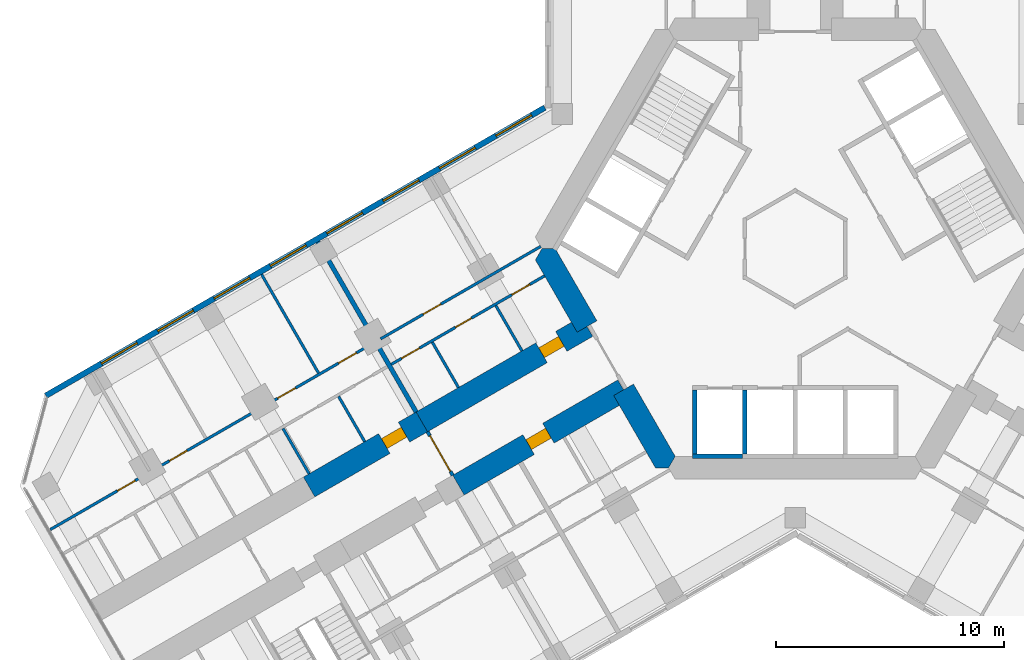
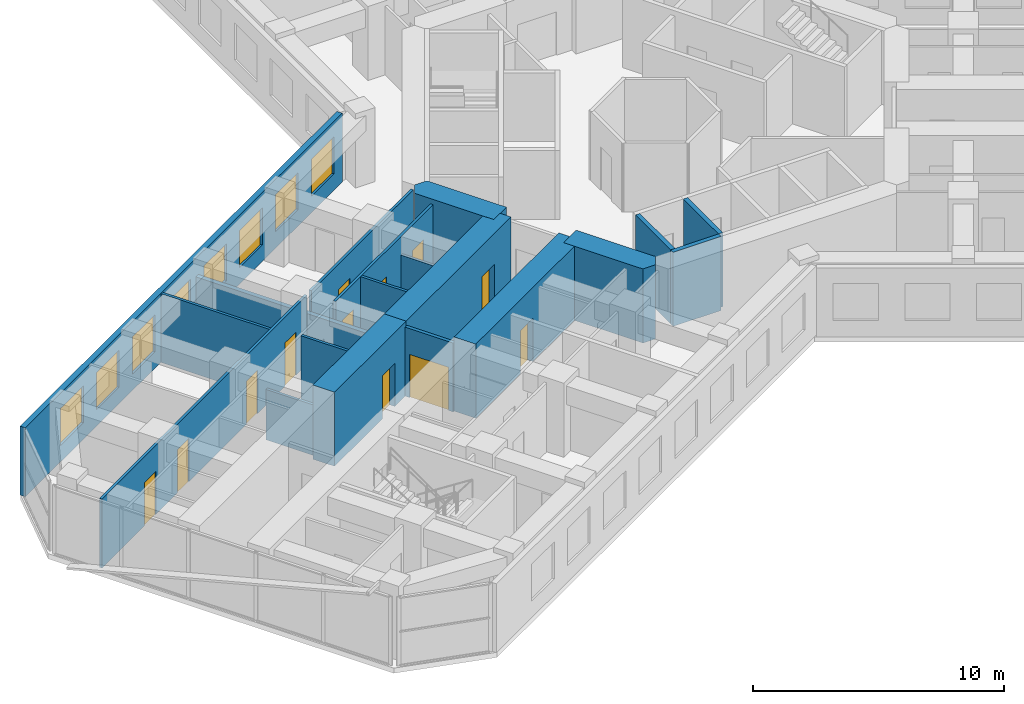
# One storey, part 12 of 21: 19 walls, 12 doors, 8 windows, 20 openings.
"""IFC4 building model written with IfcOpenShell, lengths in metres."""

from ifc_helpers import new_model, si_unit, direction, frame, frame_2d, origin, place, context, subcontext, project, spatial, polyline, rectangle, outline, extrude, material, layer, layer_set, type_object, element, fill, save


model = new_model("IFC4")

# Units and contexts
model_context = context("Model", 3, precision=1e-05, world=origin(), true_north=direction((0.0, 1.0)))
body_context = subcontext(model_context, "Body", "Model", "MODEL_VIEW")
ifc_project = project(units=[si_unit("LENGTHUNIT", "METRE"), si_unit("AREAUNIT", "SQUARE_METRE"), si_unit("VOLUMEUNIT", "CUBIC_METRE"), si_unit("PLANEANGLEUNIT", "RADIAN"), si_unit("MASSUNIT", "GRAM", prefix="KILO")], contexts=[model_context])

# Site, building, storey
site_placement = place(None, origin())
site = spatial("IfcSite", under=ifc_project, at=site_placement, CompositionType="ELEMENT")
building_placement = place(site_placement, origin())
building = spatial("IfcBuilding", under=site, at=building_placement, Name="Kosmar Iwan School Tower", CompositionType="ELEMENT")
storey_placement = place(building_placement, frame((0.0, 0.0, 106.0)))
storey = spatial("IfcBuildingStorey", under=building, at=storey_placement, Name="L26", CompositionType="ELEMENT", Elevation=106.0)

# Walls
ifc_material_1 = material(Name="Concrete C50/60", Category="concrete")
ifc_layer_1 = layer(ifc_material_1, 1.0)
ifc_layer_set_1 = layer_set([ifc_layer_1], Name="Core wall 1000")
wall_type_1 = type_object("IfcWallType", Name="Core wall 1000", PredefinedType="SHEAR", material=ifc_layer_set_1)
wall_1_placement = place(storey_placement, origin())
element("IfcWall", 1, at=wall_1_placement, inside=storey, type_object=wall_type_1, Name="Core wall F210a", PredefinedType="SHEAR", context=body_context, shape_type="SweptSolid", body=[
    extrude(outline(polyline([(-9.546875, -3.664306640625), (-8.680908203125, -3.164306640625), (-10.5078125, 0.0), (-11.085205078125, 0.0), (-11.373779296875, -0.5), (-9.546875, -3.664306640625)])), origin(), (0.0, 0.0, 1.0), 3.60009765625),
])
wall_2_placement = place(storey_placement, origin())
element("IfcWall", 2, at=wall_2_placement, inside=storey, type_object=wall_type_1, Name="Core wall F210b", PredefinedType="SHEAR", context=body_context, shape_type="SweptSolid", body=[
    extrude(outline(polyline([(-6.119873046875, -9.60009765625), (-5.54248046875, -9.60009765625), (-5.25390625, -9.10009765625), (-7.080810546875, -5.935546875), (-7.94677734375, -6.435546875), (-6.119873046875, -9.60009765625)])), origin(), (0.0, 0.0, 1.0), 3.60009765625),
])

# Wall, opening, door
ifc_material_2 = material(Name="Concrete C50/60", Category="concrete")
ifc_layer_2 = layer(ifc_material_2, 1.0)
ifc_layer_set_2 = layer_set([ifc_layer_2], Name="Corridor buttress wall 1000")
wall_type_2 = type_object("IfcWallType", Name="Corridor buttress wall 1000", PredefinedType="SHEAR", material=ifc_layer_set_2)
wall_3_placement = place(storey_placement, frame((-7.513916015625, -6.185546875, 0.0), z_axis=(0.0, 0.0, 1.0), x_axis=(-0.866019549707, -0.500010139422, 0.0)))
wall_3 = element("IfcWall", 3, at=wall_3_placement, inside=storey, type_object=wall_type_2, Name="Corridor wall BL", PredefinedType="SHEAR", context=body_context, shape_type="SweptSolid", body=[
    extrude(rectangle(XDim=8.349853515625, YDim=1.0, at=frame_2d((4.1748046875, 0.0))), origin(), (0.0, 0.0, 1.0), 3.60009765625),
])
opening_1_placement = place(wall_3_placement, frame((3.800048828125, 0.0, 0.0)))
opening_1 = element("IfcOpeningElement", 4, at=opening_1_placement, cuts=wall_3, Name="Opening D1", PredefinedType="OPENING", context=body_context, shape_type="SweptSolid", body=[
    extrude(rectangle(XDim=1.0, YDim=2.10009765625, at=frame_2d((0.5, 1.050048828125))), frame((0.0, 0.511962890625, 0.0), z_axis=(0.0, -1.0, 0.0), x_axis=(1.0, 0.0, 0.0)), (0.0, 0.0, 1.0), 1.02392578125),
])
ifc_material_3 = material(Name="Timber fire door in steel frame", Category="steel")
door_type_1 = type_object("IfcDoorType", Name="Flat entrance door 1000x2100", OperationType="SINGLE_SWING_LEFT", PredefinedType="DOOR", material=ifc_material_3)
door_1_placement = place(opening_1_placement, origin())
door_1 = element("IfcDoor", 5, at=door_1_placement, inside=storey, type_object=door_type_1, Name="Flat L26-BL1 entrance door", OperationType="SINGLE_SWING_LEFT", OverallHeight=2.10009765625, OverallWidth=1.0, PredefinedType="DOOR", context=body_context, shape_type="SweptSolid", body=[
    extrude(rectangle(XDim=1.0, YDim=2.10009765625, at=frame_2d((0.5, 1.050048828125))), frame((0.0, 0.25, 0.0), z_axis=(0.0, -1.0, 0.0), x_axis=(1.0, 0.0, 0.0)), (0.0, 0.0, 1.0), 0.5),
])
fill(opening_1, door_1)

wall_4_placement = place(storey_placement, frame((-9.11376953125, -3.414306640625, 0.0), z_axis=(0.0, 0.0, 1.0), x_axis=(-0.866026859388, -0.499997478812, 0.0)))
wall_4 = element("IfcWall", 6, at=wall_4_placement, inside=storey, type_object=wall_type_2, Name="Corridor wall BR", PredefinedType="SHEAR", context=body_context, shape_type="SweptSolid", body=[
    extrude(rectangle(XDim=8.35009765625, YDim=1.0, at=frame_2d((4.175048828125, 0.0))), origin(), (0.0, 0.0, 1.0), 3.60009765625),
])
opening_2_placement = place(wall_4_placement, frame((1.300048828125, 0.0, 0.0)))
opening_2 = element("IfcOpeningElement", 7, at=opening_2_placement, cuts=wall_4, Name="Opening D1", PredefinedType="OPENING", context=body_context, shape_type="SweptSolid", body=[
    extrude(rectangle(XDim=1.0, YDim=2.10009765625, at=frame_2d((0.5, 1.050048828125))), frame((0.0, 0.511962890625, 0.0), z_axis=(0.0, -1.0, 0.0), x_axis=(1.0, 0.0, 0.0)), (0.0, 0.0, 1.0), 1.02392578125),
])
door_2_placement = place(opening_2_placement, origin())
door_2 = element("IfcDoor", 8, at=door_2_placement, inside=storey, type_object=door_type_1, Name="Flat L26-BR1 entrance door", OperationType="SINGLE_SWING_LEFT", OverallHeight=2.10009765625, OverallWidth=1.0, PredefinedType="DOOR", context=body_context, shape_type="SweptSolid", body=[
    extrude(rectangle(XDim=1.0, YDim=2.10009765625, at=frame_2d((0.5, 1.050048828125))), frame((0.0, 0.25, 0.0), z_axis=(0.0, -1.0, 0.0), x_axis=(1.0, 0.0, 0.0)), (0.0, 0.0, 1.0), 0.5),
])
fill(opening_2, door_2)

wall_5_placement = place(storey_placement, frame((-16.34521484375, -7.58935546875, 0.0), z_axis=(0.0, 0.0, 1.0), x_axis=(-0.866015111908, -0.50001782563, 0.0)))
wall_5 = element("IfcWall", 9, at=wall_5_placement, inside=storey, type_object=wall_type_2, Name="Corridor wall BR bay 2", PredefinedType="SHEAR", context=body_context, shape_type="SweptSolid", body=[
    extrude(rectangle(XDim=5.699951171875, YDim=1.0, at=frame_2d((2.85009765625, 0.0))), origin(), (0.0, 0.0, 1.0), 3.60009765625),
])
opening_3_placement = place(wall_5_placement, frame((0.89990234375, 0.0, 0.0)))
opening_3 = element("IfcOpeningElement", 10, at=opening_3_placement, cuts=wall_5, Name="Opening D1", PredefinedType="OPENING", context=body_context, shape_type="SweptSolid", body=[
    extrude(rectangle(XDim=1.0, YDim=2.10009765625, at=frame_2d((0.5, 1.050048828125))), frame((0.0, 0.511962890625, 0.0), z_axis=(0.0, -1.0, 0.0), x_axis=(1.0, 0.0, 0.0)), (0.0, 0.0, 1.0), 1.02392578125),
])
door_3_placement = place(opening_3_placement, origin())
door_3 = element("IfcDoor", 11, at=door_3_placement, inside=storey, type_object=door_type_1, Name="Flat L26-BR2 entrance door", OperationType="SINGLE_SWING_LEFT", OverallHeight=2.10009765625, OverallWidth=1.0, PredefinedType="DOOR", context=body_context, shape_type="SweptSolid", body=[
    extrude(rectangle(XDim=1.0, YDim=2.10009765625, at=frame_2d((0.5, 1.050048828125))), frame((0.0, 0.25, 0.0), z_axis=(0.0, -1.0, 0.0), x_axis=(1.0, 0.0, 0.0)), (0.0, 0.0, 1.0), 0.5),
])
fill(opening_3, door_3)

ifc_material_4 = material(Name="Gypsum board on steel studs, fire-rated", Category="steel")
ifc_layer_3 = layer(ifc_material_4, 0.14990234375)
ifc_layer_set_3 = layer_set([ifc_layer_3], Name="Corridor end wall 150")
wall_type_3 = type_object("IfcWallType", Name="Corridor end wall 150", PredefinedType="PARTITIONING", material=ifc_layer_set_3)
wall_6_placement = place(storey_placement, frame((-16.09521484375, -8.0224609375, 0.0), z_axis=(0.0, 0.0, 1.0), x_axis=(0.50002983664, -0.866008176907, 0.0)))
wall_6 = element("IfcWall", 12, at=wall_6_placement, inside=storey, type_object=wall_type_3, Name="Partition L26-B-HW", PredefinedType="PARTITIONING", context=body_context, shape_type="SweptSolid", body=[
    extrude(rectangle(XDim=2.199951171875, YDim=0.14990234375, at=frame_2d((1.10009765625, 0.0))), origin(), (0.0, 0.0, 1.0), 3.35009765625),
])
opening_4_placement = place(wall_6_placement, frame((0.199951171875, 0.0, 0.0)))
opening_4 = element("IfcOpeningElement", 13, at=opening_4_placement, cuts=wall_6, Name="Opening D9", PredefinedType="OPENING", context=body_context, shape_type="SweptSolid", body=[
    extrude(rectangle(XDim=1.800048828125, YDim=2.10009765625, at=frame_2d((0.89990234375, 1.050048828125))), frame((0.0, 0.0869140625, 0.0), z_axis=(0.0, -1.0, 0.0), x_axis=(1.0, 0.0, 0.0)), (0.0, 0.0, 1.0), 0.173828125),
])
ifc_material_5 = material(Name="Steel framed glazed smoke door", Category="steel")
door_type_2 = type_object("IfcDoorType", Name="Corridor smoke door pair 1800x2100", OperationType="DOUBLE_DOOR_DOUBLE_SWING", PredefinedType="DOOR", material=ifc_material_5)
door_4_placement = place(opening_4_placement, origin())
door_4 = element("IfcDoor", 14, at=door_4_placement, inside=storey, type_object=door_type_2, Name="Entrance vestibule smoke doors L26-B", OperationType="DOUBLE_DOOR_DOUBLE_SWING", OverallHeight=2.10009765625, OverallWidth=1.800048828125, PredefinedType="DOOR", context=body_context, shape_type="SweptSolid", body=[
    extrude(rectangle(XDim=1.800048828125, YDim=2.10009765625, at=frame_2d((0.89990234375, 1.050048828125))), frame((0.0, 0.02490234375, 0.0), z_axis=(0.0, -1.0, 0.0), x_axis=(1.0, 0.0, 0.0)), (0.0, 0.0, 1.0), 0.050048828125),
])
fill(opening_4, door_4)

# Wall, openings, doors
ifc_material_6 = material(Name="Gypsum board on steel studs", Category="steel")
ifc_layer_4 = layer(ifc_material_6, 0.1201171875)
ifc_layer_set_4 = layer_set([ifc_layer_4], Name="Dwelling partition 120")
wall_type_4 = type_object("IfcWallType", Name="Dwelling partition 120", PredefinedType="PARTITIONING", material=ifc_layer_set_4)
wall_7_placement = place(storey_placement, frame((-10.971923828125, -1.1962890625, 0.0), z_axis=(0.0, 0.0, 1.0), x_axis=(-0.866024534185, -0.500001506187, 0.0)))
wall_7 = element("IfcWall", 15, at=wall_7_placement, inside=storey, type_object=wall_type_4, Name="Partition L26-BR1-W1", PredefinedType="PARTITIONING", context=body_context, shape_type="SweptSolid", body=[
    extrude(rectangle(XDim=7.75, YDim=0.1201171875, at=frame_2d((3.875, 0.0))), origin(), (0.0, 0.0, 1.0), 3.35009765625),
])
opening_5_placement = place(wall_7_placement, frame((0.75, 0.0, 0.0)))
opening_5 = element("IfcOpeningElement", 16, at=opening_5_placement, cuts=wall_7, Name="Opening D2", PredefinedType="OPENING", context=body_context, shape_type="SweptSolid", body=[
    extrude(rectangle(XDim=0.89990234375, YDim=2.10009765625, at=frame_2d((0.449951171875, 1.050048828125))), frame((0.0, 0.072021484375, 0.0), z_axis=(0.0, -1.0, 0.0), x_axis=(1.0, 0.0, 0.0)), (0.0, 0.0, 1.0), 0.14404296875),
])
opening_6_placement = place(wall_7_placement, frame((3.705078125, 0.0, 0.0)))
opening_6 = element("IfcOpeningElement", 17, at=opening_6_placement, cuts=wall_7, Name="Opening D3", PredefinedType="OPENING", context=body_context, shape_type="SweptSolid", body=[
    extrude(rectangle(XDim=0.800048828125, YDim=2.10009765625, at=frame_2d((0.39990234375, 1.050048828125))), frame((0.0, 0.072021484375, 0.0), z_axis=(0.0, -1.0, 0.0), x_axis=(1.0, 0.0, 0.0)), (0.0, 0.0, 1.0), 0.14404296875),
])
opening_7_placement = place(wall_7_placement, frame((6.330078125, 0.0, 0.0)))
opening_7 = element("IfcOpeningElement", 18, at=opening_7_placement, cuts=wall_7, Name="Opening D2", PredefinedType="OPENING", context=body_context, shape_type="SweptSolid", body=[
    extrude(rectangle(XDim=0.89990234375, YDim=2.10009765625, at=frame_2d((0.449951171875, 1.050048828125))), frame((0.0, 0.072021484375, 0.0), z_axis=(0.0, -1.0, 0.0), x_axis=(1.0, 0.0, 0.0)), (0.0, 0.0, 1.0), 0.14404296875),
])
ifc_material_7 = material(Name="Timber door in timber frame", Category="wood")
door_type_3 = type_object("IfcDoorType", Name="Internal door 900x2100", OperationType="SINGLE_SWING_LEFT", PredefinedType="DOOR", material=ifc_material_7)
door_5_placement = place(opening_5_placement, origin())
door_5 = element("IfcDoor", 19, at=door_5_placement, inside=storey, type_object=door_type_3, Name="Entrance hall door L26-BR1-S1", OperationType="SINGLE_SWING_RIGHT", OverallHeight=2.10009765625, OverallWidth=0.89990234375, PredefinedType="DOOR", context=body_context, shape_type="SweptSolid", body=[
    extrude(rectangle(XDim=0.89990234375, YDim=2.10009765625, at=frame_2d((0.449951171875, 1.050048828125))), frame((0.0, 0.02490234375, 0.0), z_axis=(0.0, -1.0, 0.0), x_axis=(1.0, 0.0, 0.0)), (0.0, 0.0, 1.0), 0.050048828125),
])
fill(opening_5, door_5)
door_6_placement = place(opening_7_placement, origin())
door_6 = element("IfcDoor", 20, at=door_6_placement, inside=storey, type_object=door_type_3, Name="Pantry door L26-BR1-S3", OperationType="SINGLE_SWING_RIGHT", OverallHeight=2.10009765625, OverallWidth=0.89990234375, PredefinedType="DOOR", context=body_context, shape_type="SweptSolid", body=[
    extrude(rectangle(XDim=0.89990234375, YDim=2.10009765625, at=frame_2d((0.449951171875, 1.050048828125))), frame((0.0, 0.02490234375, 0.0), z_axis=(0.0, -1.0, 0.0), x_axis=(1.0, 0.0, 0.0)), (0.0, 0.0, 1.0), 0.050048828125),
])
fill(opening_7, door_6)
ifc_material_8 = material(Name="Timber door in timber frame", Category="wood")
door_type_4 = type_object("IfcDoorType", Name="Sanitary room door 800x2100", OperationType="SINGLE_SWING_LEFT", PredefinedType="DOOR", material=ifc_material_8)
door_7_placement = place(opening_6_placement, origin())
door_7 = element("IfcDoor", 21, at=door_7_placement, inside=storey, type_object=door_type_4, Name="Bathroom door L26-BR1-S2", OperationType="SINGLE_SWING_LEFT", OverallHeight=2.10009765625, OverallWidth=0.800048828125, PredefinedType="DOOR", context=body_context, shape_type="SweptSolid", body=[
    extrude(rectangle(XDim=0.800048828125, YDim=2.10009765625, at=frame_2d((0.39990234375, 1.050048828125))), frame((0.0, 0.02490234375, 0.0), z_axis=(0.0, -1.0, 0.0), x_axis=(1.0, 0.0, 0.0)), (0.0, 0.0, 1.0), 0.050048828125),
])
fill(opening_6, door_7)

# Wall, opening, door
wall_8_placement = place(storey_placement, frame((-11.138916015625, 0.093017578125, 0.0), z_axis=(0.0, 0.0, 1.0), x_axis=(-0.866017937352, -0.500012932018, 0.0)))
wall_8 = element("IfcWall", 22, at=wall_8_placement, inside=storey, type_object=wall_type_4, Name="Partition L26-BR1-W2", PredefinedType="PARTITIONING", context=body_context, shape_type="SweptSolid", body=[
    extrude(rectangle(XDim=8.099853515625, YDim=0.1201171875, at=frame_2d((4.0498046875, 0.0))), origin(), (0.0, 0.0, 1.0), 3.35009765625),
])
opening_8_placement = place(wall_8_placement, frame((5.050048828125, 0.0, 0.0)))
opening_8 = element("IfcOpeningElement", 23, at=opening_8_placement, cuts=wall_8, Name="Opening D2", PredefinedType="OPENING", context=body_context, shape_type="SweptSolid", body=[
    extrude(rectangle(XDim=0.89990234375, YDim=2.10009765625, at=frame_2d((0.449951171875, 1.050048828125))), frame((0.0, 0.072021484375, 0.0), z_axis=(0.0, -1.0, 0.0), x_axis=(1.0, 0.0, 0.0)), (0.0, 0.0, 1.0), 0.14404296875),
])
door_8_placement = place(opening_8_placement, origin())
door_8 = element("IfcDoor", 24, at=door_8_placement, inside=storey, type_object=door_type_3, Name="Studio living room door L26-BR1-F2", OperationType="SINGLE_SWING_RIGHT", OverallHeight=2.10009765625, OverallWidth=0.89990234375, PredefinedType="DOOR", context=body_context, shape_type="SweptSolid", body=[
    extrude(rectangle(XDim=0.89990234375, YDim=2.10009765625, at=frame_2d((0.449951171875, 1.050048828125))), frame((0.0, 0.02490234375, 0.0), z_axis=(0.0, -1.0, 0.0), x_axis=(1.0, 0.0, 0.0)), (0.0, 0.0, 1.0), 0.050048828125),
])
fill(opening_8, door_8)

# Walls
wall_9_placement = place(storey_placement, frame((-11.9619140625, -4.4814453125, 0.0), z_axis=(0.0, 0.0, 1.0), x_axis=(-0.499968531483, 0.866043571379, 0.0)))
element("IfcWall", 25, at=wall_9_placement, inside=storey, type_object=wall_type_4, Name="Partition L26-BR1-Y1", PredefinedType="PARTITIONING", context=body_context, shape_type="SweptSolid", body=[
    extrude(rectangle(XDim=2.290283203125, YDim=0.1201171875, at=frame_2d((1.14501953125, 0.0))), origin(), (0.0, 0.0, 1.0), 2.449951171875),
])
wall_10_placement = place(storey_placement, frame((-14.741943359375, -6.08642578125, 0.0), z_axis=(0.0, 0.0, 1.0), x_axis=(-0.499968531483, 0.866043571379, 0.0)))
element("IfcWall", 26, at=wall_10_placement, inside=storey, type_object=wall_type_4, Name="Partition L26-BR1-Y2", PredefinedType="PARTITIONING", context=body_context, shape_type="SweptSolid", body=[
    extrude(rectangle(XDim=2.290283203125, YDim=0.1201171875, at=frame_2d((1.14501953125, 0.0))), origin(), (0.0, 0.0, 1.0), 3.35009765625),
])

# Wall, openings, doors
wall_11_placement = place(storey_placement, frame((-18.456787109375, -4.1318359375, 0.0), z_axis=(0.0, 0.0, 1.0), x_axis=(-0.866023907196, -0.500002592159, 0.0)))
wall_11 = element("IfcWall", 27, at=wall_11_placement, inside=storey, type_object=wall_type_4, Name="Partition L26-BR2-W2", PredefinedType="PARTITIONING", context=body_context, shape_type="SweptSolid", body=[
    extrude(rectangle(XDim=16.34521484375, YDim=0.1201171875, at=frame_2d((8.172607421875, 0.0))), origin(), (0.0, 0.0, 1.0), 3.35009765625),
])
opening_9_placement = place(wall_11_placement, frame((0.875, 0.0, 0.0)))
opening_9 = element("IfcOpeningElement", 28, at=opening_9_placement, cuts=wall_11, Name="Opening D2", PredefinedType="OPENING", context=body_context, shape_type="SweptSolid", body=[
    extrude(rectangle(XDim=0.89990234375, YDim=2.10009765625, at=frame_2d((0.449951171875, 1.050048828125))), frame((0.0, 0.072021484375, 0.0), z_axis=(0.0, -1.0, 0.0), x_axis=(1.0, 0.0, 0.0)), (0.0, 0.0, 1.0), 0.14404296875),
])
opening_10_placement = place(wall_11_placement, frame((3.949951171875, 0.0, 0.0)))
opening_10 = element("IfcOpeningElement", 29, at=opening_10_placement, cuts=wall_11, Name="Opening D2", PredefinedType="OPENING", context=body_context, shape_type="SweptSolid", body=[
    extrude(rectangle(XDim=0.89990234375, YDim=2.10009765625, at=frame_2d((0.449951171875, 1.050048828125))), frame((0.0, 0.072021484375, 0.0), z_axis=(0.0, -1.0, 0.0), x_axis=(1.0, 0.0, 0.0)), (0.0, 0.0, 1.0), 0.14404296875),
])
opening_11_placement = place(wall_11_placement, frame((9.425048828125, 0.0, 0.0)))
opening_11 = element("IfcOpeningElement", 30, at=opening_11_placement, cuts=wall_11, Name="Opening D2", PredefinedType="OPENING", context=body_context, shape_type="SweptSolid", body=[
    extrude(rectangle(XDim=0.89990234375, YDim=2.10009765625, at=frame_2d((0.449951171875, 1.050048828125))), frame((0.0, 0.072021484375, 0.0), z_axis=(0.0, -1.0, 0.0), x_axis=(1.0, 0.0, 0.0)), (0.0, 0.0, 1.0), 0.14404296875),
])
opening_12_placement = place(wall_11_placement, frame((12.050048828125, 0.0, 0.0)))
opening_12 = element("IfcOpeningElement", 31, at=opening_12_placement, cuts=wall_11, Name="Opening D2", PredefinedType="OPENING", context=body_context, shape_type="SweptSolid", body=[
    extrude(rectangle(XDim=0.89990234375, YDim=2.10009765625, at=frame_2d((0.449951171875, 1.050048828125))), frame((0.0, 0.072021484375, 0.0), z_axis=(0.0, -1.0, 0.0), x_axis=(1.0, 0.0, 0.0)), (0.0, 0.0, 1.0), 0.14404296875),
])
door_9_placement = place(opening_9_placement, origin())
door_9 = element("IfcDoor", 32, at=door_9_placement, inside=storey, type_object=door_type_3, Name="Bedroom 1 door L26-BR2-F1", OperationType="SINGLE_SWING_LEFT", OverallHeight=2.10009765625, OverallWidth=0.89990234375, PredefinedType="DOOR", context=body_context, shape_type="SweptSolid", body=[
    extrude(rectangle(XDim=0.89990234375, YDim=2.10009765625, at=frame_2d((0.449951171875, 1.050048828125))), frame((0.0, 0.02490234375, 0.0), z_axis=(0.0, -1.0, 0.0), x_axis=(1.0, 0.0, 0.0)), (0.0, 0.0, 1.0), 0.050048828125),
])
fill(opening_9, door_9)
door_10_placement = place(opening_10_placement, origin())
door_10 = element("IfcDoor", 33, at=door_10_placement, inside=storey, type_object=door_type_3, Name="Living room and kitchen door L26-BR2-F2", OperationType="SINGLE_SWING_LEFT", OverallHeight=2.10009765625, OverallWidth=0.89990234375, PredefinedType="DOOR", context=body_context, shape_type="SweptSolid", body=[
    extrude(rectangle(XDim=0.89990234375, YDim=2.10009765625, at=frame_2d((0.449951171875, 1.050048828125))), frame((0.0, 0.02490234375, 0.0), z_axis=(0.0, -1.0, 0.0), x_axis=(1.0, 0.0, 0.0)), (0.0, 0.0, 1.0), 0.050048828125),
])
fill(opening_10, door_10)
door_11_placement = place(opening_11_placement, origin())
door_11 = element("IfcDoor", 34, at=door_11_placement, inside=storey, type_object=door_type_3, Name="Bedroom 2 door L26-BR2-F3", OperationType="SINGLE_SWING_RIGHT", OverallHeight=2.10009765625, OverallWidth=0.89990234375, PredefinedType="DOOR", context=body_context, shape_type="SweptSolid", body=[
    extrude(rectangle(XDim=0.89990234375, YDim=2.10009765625, at=frame_2d((0.449951171875, 1.050048828125))), frame((0.0, 0.02490234375, 0.0), z_axis=(0.0, -1.0, 0.0), x_axis=(1.0, 0.0, 0.0)), (0.0, 0.0, 1.0), 0.050048828125),
])
fill(opening_11, door_11)
door_12_placement = place(opening_12_placement, origin())
door_12 = element("IfcDoor", 35, at=door_12_placement, inside=storey, type_object=door_type_3, Name="Bedroom 3 door L26-BR2-F4", OperationType="SINGLE_SWING_RIGHT", OverallHeight=2.10009765625, OverallWidth=0.89990234375, PredefinedType="DOOR", context=body_context, shape_type="SweptSolid", body=[
    extrude(rectangle(XDim=0.89990234375, YDim=2.10009765625, at=frame_2d((0.449951171875, 1.050048828125))), frame((0.0, 0.02490234375, 0.0), z_axis=(0.0, -1.0, 0.0), x_axis=(1.0, 0.0, 0.0)), (0.0, 0.0, 1.0), 0.050048828125),
])
fill(opening_12, door_12)

# Walls
wall_12_placement = place(storey_placement, frame((-20.868408203125, -5.455078125, 0.0), z_axis=(0.0, 0.0, 1.0), x_axis=(-0.499975153383, 0.86603974851, 0.0)))
element("IfcWall", 36, at=wall_12_placement, inside=storey, type_object=wall_type_4, Name="Partition L26-BR2-X1", PredefinedType="PARTITIONING", context=body_context, shape_type="SweptSolid", body=[
    extrude(rectangle(XDim=4.989990234375, YDim=0.1201171875, at=frame_2d((2.4951171875, 0.0))), origin(), (0.0, 0.0, 1.0), 3.35009765625),
])
wall_13_placement = place(storey_placement, frame((-18.846923828125, -8.456298828125, 0.0), z_axis=(0.0, 0.0, 1.0), x_axis=(-0.500014693593, 0.866016920268, 0.0)))
element("IfcWall", 37, at=wall_13_placement, inside=storey, type_object=wall_type_4, Name="Partition L26-BR2-Y1", PredefinedType="PARTITIONING", context=body_context, shape_type="SweptSolid", body=[
    extrude(rectangle(XDim=2.2900390625, YDim=0.1201171875, at=frame_2d((1.14501953125, 0.0))), origin(), (0.0, 0.0, 1.0), 3.35009765625),
])
wall_14_placement = place(storey_placement, frame((-21.2802734375, -9.861328125, 0.0), z_axis=(0.0, 0.0, 1.0), x_axis=(-0.500014693593, 0.866016920268, 0.0)))
element("IfcWall", 38, at=wall_14_placement, inside=storey, type_object=wall_type_4, Name="Partition L26-BR2-Y2", PredefinedType="PARTITIONING", context=body_context, shape_type="SweptSolid", body=[
    extrude(rectangle(XDim=2.2900390625, YDim=0.1201171875, at=frame_2d((1.14501953125, 0.0))), origin(), (0.0, 0.0, 1.0), 2.449951171875),
])

# Wall, openings, windows
ifc_material_9 = material(Name="Black aluminium rainscreen on insulated framing", Category="aluminium")
ifc_layer_5 = layer(ifc_material_9, 0.25)
ifc_layer_set_5 = layer_set([ifc_layer_5], Name="External wall rainscreen 250")
wall_type_5 = type_object("IfcWallType", Name="External wall rainscreen 250", PredefinedType="SOLIDWALL", material=ifc_layer_set_5)
wall_15_placement = place(storey_placement, frame((-10.962890625, 6.170166015625, 0.0), z_axis=(0.0, 0.0, 1.0), x_axis=(-0.86602796634, -0.499995561497, 0.0)))
wall_15 = element("IfcWall", 39, at=wall_15_placement, inside=storey, type_object=wall_type_5, Name="External wall BR L26", PredefinedType="SOLIDWALL", context=body_context, shape_type="SweptSolid", body=[
    extrude(rectangle(XDim=25.226318359375, YDim=0.25, at=frame_2d((12.61328125, 0.0))), origin(), (0.0, 0.0, 1.0), 3.35009765625),
])
opening_13_placement = place(wall_15_placement, frame((0.666015625, 0.0, 0.800048828125)))
opening_13 = element("IfcOpeningElement", 40, at=opening_13_placement, cuts=wall_15, Name="Opening W1", PredefinedType="OPENING", context=body_context, shape_type="SweptSolid", body=[
    extrude(rectangle(XDim=1.800048828125, YDim=1.800048828125, at=frame_2d((0.89990234375, 0.89990234375))), frame((0.0, 0.136962890625, 0.0), z_axis=(0.0, -1.0, 0.0), x_axis=(1.0, 0.0, 0.0)), (0.0, 0.0, 1.0), 0.27392578125),
])
opening_14_placement = place(wall_15_placement, frame((3.51611328125, 0.0, 0.800048828125)))
opening_14 = element("IfcOpeningElement", 41, at=opening_14_placement, cuts=wall_15, Name="Opening W1", PredefinedType="OPENING", context=body_context, shape_type="SweptSolid", body=[
    extrude(rectangle(XDim=1.800048828125, YDim=1.800048828125, at=frame_2d((0.89990234375, 0.89990234375))), frame((0.0, 0.136962890625, 0.0), z_axis=(0.0, -1.0, 0.0), x_axis=(1.0, 0.0, 0.0)), (0.0, 0.0, 1.0), 0.27392578125),
])
opening_15_placement = place(wall_15_placement, frame((6.365966796875, 0.0, 0.800048828125)))
opening_15 = element("IfcOpeningElement", 42, at=opening_15_placement, cuts=wall_15, Name="Opening W1", PredefinedType="OPENING", context=body_context, shape_type="SweptSolid", body=[
    extrude(rectangle(XDim=1.800048828125, YDim=1.800048828125, at=frame_2d((0.89990234375, 0.89990234375))), frame((0.0, 0.136962890625, 0.0), z_axis=(0.0, -1.0, 0.0), x_axis=(1.0, 0.0, 0.0)), (0.0, 0.0, 1.0), 0.27392578125),
])
opening_16_placement = place(wall_15_placement, frame((9.216064453125, 0.0, 0.800048828125)))
opening_16 = element("IfcOpeningElement", 43, at=opening_16_placement, cuts=wall_15, Name="Opening W1", PredefinedType="OPENING", context=body_context, shape_type="SweptSolid", body=[
    extrude(rectangle(XDim=1.800048828125, YDim=1.800048828125, at=frame_2d((0.89990234375, 0.89990234375))), frame((0.0, 0.136962890625, 0.0), z_axis=(0.0, -1.0, 0.0), x_axis=(1.0, 0.0, 0.0)), (0.0, 0.0, 1.0), 0.27392578125),
])
opening_17_placement = place(wall_15_placement, frame((12.06591796875, 0.0, 0.800048828125)))
opening_17 = element("IfcOpeningElement", 44, at=opening_17_placement, cuts=wall_15, Name="Opening W1", PredefinedType="OPENING", context=body_context, shape_type="SweptSolid", body=[
    extrude(rectangle(XDim=1.800048828125, YDim=1.800048828125, at=frame_2d((0.89990234375, 0.89990234375))), frame((0.0, 0.136962890625, 0.0), z_axis=(0.0, -1.0, 0.0), x_axis=(1.0, 0.0, 0.0)), (0.0, 0.0, 1.0), 0.27392578125),
])
opening_18_placement = place(wall_15_placement, frame((14.916015625, 0.0, 0.800048828125)))
opening_18 = element("IfcOpeningElement", 45, at=opening_18_placement, cuts=wall_15, Name="Opening W1", PredefinedType="OPENING", context=body_context, shape_type="SweptSolid", body=[
    extrude(rectangle(XDim=1.800048828125, YDim=1.800048828125, at=frame_2d((0.89990234375, 0.89990234375))), frame((0.0, 0.136962890625, 0.0), z_axis=(0.0, -1.0, 0.0), x_axis=(1.0, 0.0, 0.0)), (0.0, 0.0, 1.0), 0.27392578125),
])
opening_19_placement = place(wall_15_placement, frame((17.76611328125, 0.0, 0.800048828125)))
opening_19 = element("IfcOpeningElement", 46, at=opening_19_placement, cuts=wall_15, Name="Opening W1", PredefinedType="OPENING", context=body_context, shape_type="SweptSolid", body=[
    extrude(rectangle(XDim=1.800048828125, YDim=1.800048828125, at=frame_2d((0.89990234375, 0.89990234375))), frame((0.0, 0.136962890625, 0.0), z_axis=(0.0, -1.0, 0.0), x_axis=(1.0, 0.0, 0.0)), (0.0, 0.0, 1.0), 0.27392578125),
])
opening_20_placement = place(wall_15_placement, frame((20.615966796875, 0.0, 0.800048828125)))
opening_20 = element("IfcOpeningElement", 47, at=opening_20_placement, cuts=wall_15, Name="Opening W1", PredefinedType="OPENING", context=body_context, shape_type="SweptSolid", body=[
    extrude(rectangle(XDim=1.800048828125, YDim=1.800048828125, at=frame_2d((0.89990234375, 0.89990234375))), frame((0.0, 0.136962890625, 0.0), z_axis=(0.0, -1.0, 0.0), x_axis=(1.0, 0.0, 0.0)), (0.0, 0.0, 1.0), 0.27392578125),
])
ifc_material_10 = material(Name="Black aluminium frame with dark triple glazing", Category="aluminium")
window_type = type_object("IfcWindowType", Name="Window 1800x1800", PartitioningType="SINGLE_PANEL", PredefinedType="WINDOW", material=ifc_material_10)
window_1_placement = place(opening_13_placement, origin())
window_1 = element("IfcWindow", 48, at=window_1_placement, inside=storey, type_object=window_type, Name="Window BR L26 -1", OverallHeight=1.800048828125, OverallWidth=1.800048828125, PartitioningType="SINGLE_PANEL", PredefinedType="WINDOW", context=body_context, shape_type="SweptSolid", body=[
    extrude(rectangle(XDim=1.800048828125, YDim=1.800048828125, at=frame_2d((0.89990234375, 0.89990234375))), frame((0.0, 0.030029296875, 0.0), z_axis=(0.0, -1.0, 0.0), x_axis=(1.0, 0.0, 0.0)), (0.0, 0.0, 1.0), 0.06005859375),
])
fill(opening_13, window_1)
window_2_placement = place(opening_14_placement, origin())
window_2 = element("IfcWindow", 49, at=window_2_placement, inside=storey, type_object=window_type, Name="Window BR L26 0", OverallHeight=1.800048828125, OverallWidth=1.800048828125, PartitioningType="SINGLE_PANEL", PredefinedType="WINDOW", context=body_context, shape_type="SweptSolid", body=[
    extrude(rectangle(XDim=1.800048828125, YDim=1.800048828125, at=frame_2d((0.89990234375, 0.89990234375))), frame((0.0, 0.030029296875, 0.0), z_axis=(0.0, -1.0, 0.0), x_axis=(1.0, 0.0, 0.0)), (0.0, 0.0, 1.0), 0.06005859375),
])
fill(opening_14, window_2)
window_3_placement = place(opening_15_placement, origin())
window_3 = element("IfcWindow", 50, at=window_3_placement, inside=storey, type_object=window_type, Name="Window BR L26 1", OverallHeight=1.800048828125, OverallWidth=1.800048828125, PartitioningType="SINGLE_PANEL", PredefinedType="WINDOW", context=body_context, shape_type="SweptSolid", body=[
    extrude(rectangle(XDim=1.800048828125, YDim=1.800048828125, at=frame_2d((0.89990234375, 0.89990234375))), frame((0.0, 0.030029296875, 0.0), z_axis=(0.0, -1.0, 0.0), x_axis=(1.0, 0.0, 0.0)), (0.0, 0.0, 1.0), 0.06005859375),
])
fill(opening_15, window_3)
window_4_placement = place(opening_16_placement, origin())
window_4 = element("IfcWindow", 51, at=window_4_placement, inside=storey, type_object=window_type, Name="Window BR L26 2", OverallHeight=1.800048828125, OverallWidth=1.800048828125, PartitioningType="SINGLE_PANEL", PredefinedType="WINDOW", context=body_context, shape_type="SweptSolid", body=[
    extrude(rectangle(XDim=1.800048828125, YDim=1.800048828125, at=frame_2d((0.89990234375, 0.89990234375))), frame((0.0, 0.030029296875, 0.0), z_axis=(0.0, -1.0, 0.0), x_axis=(1.0, 0.0, 0.0)), (0.0, 0.0, 1.0), 0.06005859375),
])
fill(opening_16, window_4)
window_5_placement = place(opening_17_placement, origin())
window_5 = element("IfcWindow", 52, at=window_5_placement, inside=storey, type_object=window_type, Name="Window BR L26 3", OverallHeight=1.800048828125, OverallWidth=1.800048828125, PartitioningType="SINGLE_PANEL", PredefinedType="WINDOW", context=body_context, shape_type="SweptSolid", body=[
    extrude(rectangle(XDim=1.800048828125, YDim=1.800048828125, at=frame_2d((0.89990234375, 0.89990234375))), frame((0.0, 0.030029296875, 0.0), z_axis=(0.0, -1.0, 0.0), x_axis=(1.0, 0.0, 0.0)), (0.0, 0.0, 1.0), 0.06005859375),
])
fill(opening_17, window_5)
window_6_placement = place(opening_18_placement, origin())
window_6 = element("IfcWindow", 53, at=window_6_placement, inside=storey, type_object=window_type, Name="Window BR L26 4", OverallHeight=1.800048828125, OverallWidth=1.800048828125, PartitioningType="SINGLE_PANEL", PredefinedType="WINDOW", context=body_context, shape_type="SweptSolid", body=[
    extrude(rectangle(XDim=1.800048828125, YDim=1.800048828125, at=frame_2d((0.89990234375, 0.89990234375))), frame((0.0, 0.030029296875, 0.0), z_axis=(0.0, -1.0, 0.0), x_axis=(1.0, 0.0, 0.0)), (0.0, 0.0, 1.0), 0.06005859375),
])
fill(opening_18, window_6)
window_7_placement = place(opening_19_placement, origin())
window_7 = element("IfcWindow", 54, at=window_7_placement, inside=storey, type_object=window_type, Name="Window BR L26 5", OverallHeight=1.800048828125, OverallWidth=1.800048828125, PartitioningType="SINGLE_PANEL", PredefinedType="WINDOW", context=body_context, shape_type="SweptSolid", body=[
    extrude(rectangle(XDim=1.800048828125, YDim=1.800048828125, at=frame_2d((0.89990234375, 0.89990234375))), frame((0.0, 0.030029296875, 0.0), z_axis=(0.0, -1.0, 0.0), x_axis=(1.0, 0.0, 0.0)), (0.0, 0.0, 1.0), 0.06005859375),
])
fill(opening_19, window_7)
window_8_placement = place(opening_20_placement, origin())
window_8 = element("IfcWindow", 55, at=window_8_placement, inside=storey, type_object=window_type, Name="Window BR L26 6", OverallHeight=1.800048828125, OverallWidth=1.800048828125, PartitioningType="SINGLE_PANEL", PredefinedType="WINDOW", context=body_context, shape_type="SweptSolid", body=[
    extrude(rectangle(XDim=1.800048828125, YDim=1.800048828125, at=frame_2d((0.89990234375, 0.89990234375))), frame((0.0, 0.030029296875, 0.0), z_axis=(0.0, -1.0, 0.0), x_axis=(1.0, 0.0, 0.0)), (0.0, 0.0, 1.0), 0.06005859375),
])
fill(opening_20, window_8)

# Walls
ifc_material_11 = material(Name="Concrete C50/60", Category="concrete")
ifc_layer_6 = layer(ifc_material_11, 0.199951171875)
ifc_layer_set_6 = layer_set([ifc_layer_6], Name="Lift shaft wall 200")
wall_type_6 = type_object("IfcWallType", Name="Lift shaft wall 200", PredefinedType="SHEAR", material=ifc_layer_set_6)
wall_16_placement = place(storey_placement, frame((-4.5, -9.10009765625, 0.0), z_axis=(0.0, 0.0, 1.0), x_axis=(1.0, 0.0, 0.0)))
element("IfcWall", 56, at=wall_16_placement, inside=storey, type_object=wall_type_6, Name="Lift and stair back wall BC", PredefinedType="SHEAR", context=body_context, shape_type="SweptSolid", body=[
    extrude(rectangle(XDim=2.199951171875, YDim=0.199951171875, at=frame_2d((1.10009765625, 0.0))), origin(), (0.0, 0.0, 1.0), 3.60009765625),
])
for number, where, z_axis, x_axis, name in (
    (57, (-4.39990234375, -6.199951171875, 0.0), (0.0, 0.0, 1.0), (0.0, -1.0, 0.0), "Lift shaft wall BC 0"),
    (58, (-2.199951171875, -6.199951171875, 0.0), (0.0, 0.0, 1.0), (0.0, -1.0, 0.0), "Lift shaft wall BC 1"),
):
    element("IfcWall", number, at=place(storey_placement, frame(where, z_axis=z_axis, x_axis=x_axis)), inside=storey, type_object=wall_type_6, Name=name, PredefinedType="SHEAR", context=body_context, shape_type="SweptSolid", body=[
        extrude(rectangle(XDim=2.800048828125, YDim=0.199951171875, at=frame_2d((1.39990234375, 0.0))), origin(), (0.0, 0.0, 1.0), 3.60009765625),
    ])
ifc_material_12 = material(Name="Concrete block masonry", Category="masonry")
ifc_layer_7 = layer(ifc_material_12, 0.199951171875)
ifc_layer_set_7 = layer_set([ifc_layer_7], Name="Party wall 200")
wall_type_7 = type_object("IfcWallType", Name="Party wall 200", PredefinedType="PARTITIONING", material=ifc_layer_set_7)
wall_17_placement = place(storey_placement, frame((-16.59521484375, -7.15625, 0.0), z_axis=(0.0, 0.0, 1.0), x_axis=(-0.500007509209, 0.866021068297, 0.0)))
element("IfcWall", 59, at=wall_17_placement, inside=storey, type_object=wall_type_7, Name="Partition L26-BR2-PW", PredefinedType="PARTITIONING", context=body_context, shape_type="SweptSolid", body=[
    extrude(rectangle(XDim=8.599853515625, YDim=0.199951171875, at=frame_2d((4.2998046875, 0.0))), origin(), (0.0, 0.0, 1.0), 2.449951171875),
])

save(model, "model.ifc")
